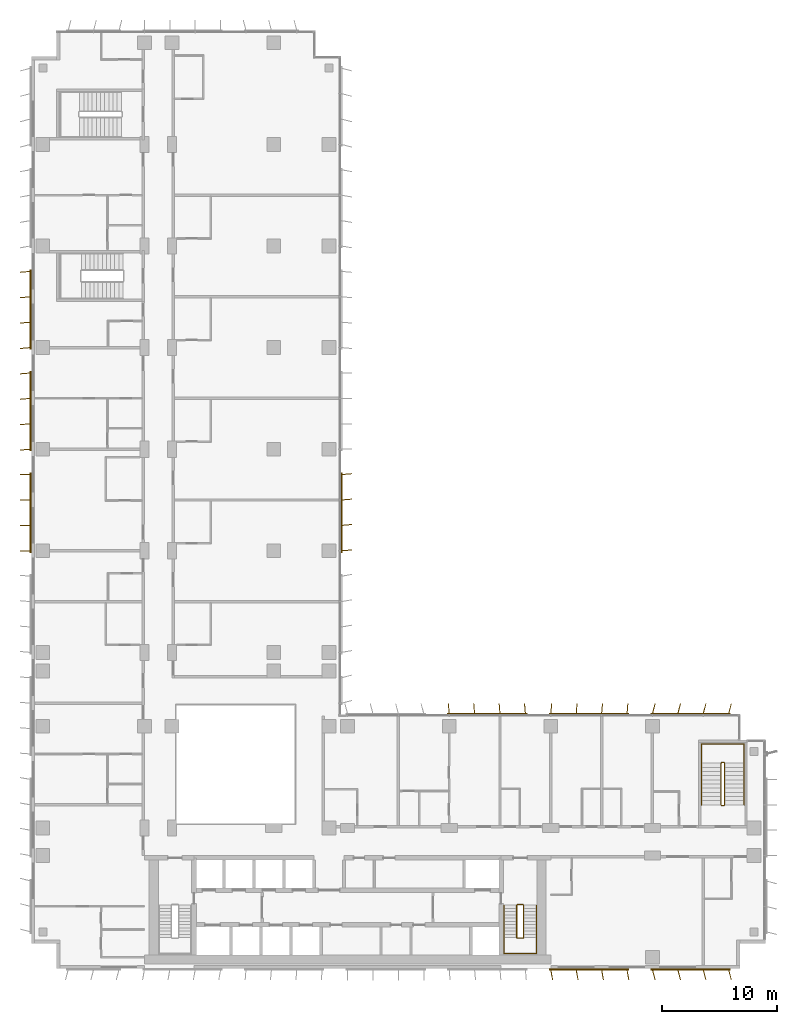
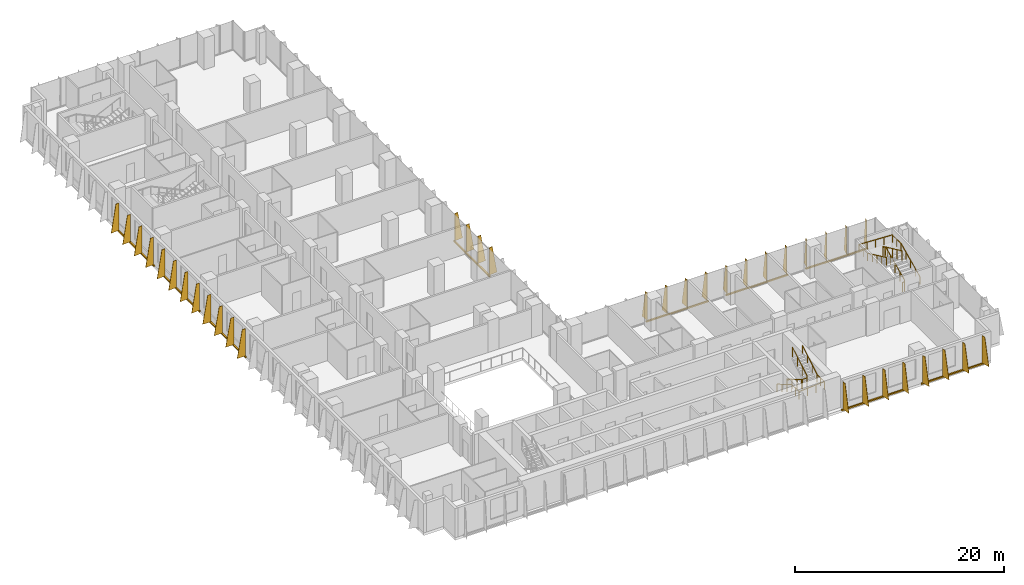
# One storey, part 20 of 22: 9 shading devices, 4 railings.
"""IFC4 building model written with IfcOpenShell, lengths in metres."""

from ifc_helpers import new_model, si_unit, direction, frame, origin, origin_2d, place, context, subcontext, project, spatial, polyline, rectangle, circle, outline, extrude, source, transform, mapped, material, layer, layer_set, type_object, element, save


model = new_model("IFC4")

# Units and contexts
model_context = context("Model", 3, precision=1e-05, world=origin(), true_north=direction((0.0, 1.0)))
body_context = subcontext(model_context, "Body", "Model", "MODEL_VIEW")
ifc_project = project(units=[si_unit("LENGTHUNIT", "METRE"), si_unit("AREAUNIT", "SQUARE_METRE"), si_unit("VOLUMEUNIT", "CUBIC_METRE"), si_unit("PLANEANGLEUNIT", "RADIAN"), si_unit("MASSUNIT", "GRAM", prefix="KILO")], contexts=[model_context])

# Site, building, storey
site_placement = place(None, origin())
site = spatial("IfcSite", under=ifc_project, at=site_placement, CompositionType="ELEMENT")
building_placement = place(site_placement, origin())
building = spatial("IfcBuilding", under=site, at=building_placement, Name="Kemantara Hotel Tower", CompositionType="ELEMENT")
storey_placement = place(building_placement, frame((0.0, 0.0, 145.699951171875)))
storey = spatial("IfcBuildingStorey", under=building, at=storey_placement, Name="L35", CompositionType="ELEMENT", Elevation=145.699951171875)

# Railings
ifc_material_1 = material(Name="Stainless steel balustrade", Category="steel")
railing_type_1 = type_object("IfcRailingType", Name="Stair guard 1100 mm", PredefinedType="GUARDRAIL", material=ifc_material_1)
railing_1_placement = place(storey_placement, frame((42.64990234375, 5.5, 3.699951171875)))
element("IfcRailing", 1, at=railing_1_placement, inside=storey, type_object=railing_type_1, Name="L35 ST2 stair guard 1", PredefinedType="GUARDRAIL", context=body_context, shape_type="SweptSolid", body=[
    extrude(circle(Radius=0.02392578125, at=origin_2d()), frame((0.0, 0.0, 1.076171875), z_axis=(0.0, -0.857275202839, -0.514858452973), x_axis=(1.0, 0.0, 0.0)), (0.0, 0.0, 1.0), 3.26611328125),
    extrude(circle(Radius=0.02392578125, at=origin_2d()), frame((0.0, -2.800048828125, -0.60546875), z_axis=(-0.273006030465, -0.27434429532, -0.922064485248), x_axis=(0.708833529934, -0.705375805398, 0.0)), (0.0, 0.0, 1.0), 0.182373046875),
    extrude(circle(Radius=0.02392578125, at=origin_2d()), frame((-0.0498046875, -2.85009765625, -0.77392578125), z_axis=(-1.0, 0.0, 0.0), x_axis=(0.0, -1.0, 0.0)), (0.0, 0.0, 1.0), 0.5),
    extrude(circle(Radius=0.02392578125, at=origin_2d()), frame((-0.5498046875, -2.85009765625, -0.77392578125), z_axis=(-0.707106781187, 0.707106781187, 0.0), x_axis=(-0.707106781187, -0.707106781187, 0.0)), (0.0, 0.0, 1.0), 0.07080078125),
    extrude(circle(Radius=0.02392578125, at=origin_2d()), frame((-0.599853515625, -2.800048828125, -0.77392578125), z_axis=(0.0, 0.857242210791, -0.514913383045), x_axis=(-1.0, 0.0, 0.0)), (0.0, 0.0, 1.0), 3.266357421875),
    extrude(circle(Radius=0.02392578125, at=origin_2d()), frame((-0.599853515625, 0.0, -2.45556640625), z_axis=(0.274243871929, 0.274243871929, -0.92172696468), x_axis=(-0.707106781187, 0.707106781187, 0.0)), (0.0, 0.0, 1.0), 0.1826171875),
    extrude(circle(Radius=0.02392578125, at=origin_2d()), frame((-0.5498046875, 0.050048828125, -2.6240234375), z_axis=(1.0, 0.0, 0.0), x_axis=(0.0, 1.0, 0.0)), (0.0, 0.0, 1.0), 0.5),
    extrude(circle(Radius=0.02099609375, at=origin_2d()), origin(), (0.0, 0.0, 1.0), 1.052001953125),
    extrude(circle(Radius=0.02099609375, at=origin_2d()), frame((0.0, -0.933349609375, -0.560546875)), (0.0, 0.0, 1.0), 1.052001953125),
    extrude(circle(Radius=0.02099609375, at=origin_2d()), frame((0.0, -1.86669921875, -1.12109375)), (0.0, 0.0, 1.0), 1.052001953125),
    extrude(circle(Radius=0.02099609375, at=origin_2d()), frame((0.0, -2.800048828125, -1.681640625)), (0.0, 0.0, 1.0), 1.052001953125),
    extrude(circle(Radius=0.02099609375, at=origin_2d()), frame((-0.0498046875, -2.85009765625, -1.849853515625)), (0.0, 0.0, 1.0), 1.052001953125),
    extrude(circle(Radius=0.02099609375, at=origin_2d()), frame((-0.5498046875, -2.85009765625, -1.849853515625)), (0.0, 0.0, 1.0), 1.052001953125),
    extrude(circle(Radius=0.02099609375, at=origin_2d()), frame((-0.599853515625, -2.800048828125, -1.849853515625)), (0.0, 0.0, 1.0), 1.052001953125),
    extrude(circle(Radius=0.02099609375, at=origin_2d()), frame((-0.599853515625, -1.86669921875, -2.410400390625)), (0.0, 0.0, 1.0), 1.052001953125),
    extrude(circle(Radius=0.02099609375, at=origin_2d()), frame((-0.599853515625, -0.933349609375, -2.97119140625)), (0.0, 0.0, 1.0), 1.052001953125),
    extrude(circle(Radius=0.02099609375, at=origin_2d()), frame((-0.599853515625, 0.0, -3.53173828125)), (0.0, 0.0, 1.0), 1.052001953125),
    extrude(circle(Radius=0.02099609375, at=origin_2d()), frame((-0.5498046875, 0.050048828125, -3.699951171875)), (0.0, 0.0, 1.0), 1.052001953125),
    extrude(circle(Radius=0.02099609375, at=origin_2d()), frame((-0.0498046875, 0.050048828125, -3.699951171875)), (0.0, 0.0, 1.0), 1.052001953125),
])
railing_2_placement = place(storey_placement, frame((59.75, 14.199951171875, 3.699951171875)))
element("IfcRailing", 2, at=railing_2_placement, inside=storey, type_object=railing_type_1, Name="L35 ST3 stair guard 1", PredefinedType="GUARDRAIL", context=body_context, shape_type="SweptSolid", body=[
    extrude(circle(Radius=0.02392578125, at=origin_2d()), frame((0.0, 0.0, 1.076171875), z_axis=(0.0, 0.906029249863, -0.423215073447), x_axis=(-1.0, 0.0, 0.0)), (0.0, 0.0, 1.0), 3.973388671875),
    extrude(circle(Radius=0.02392578125, at=origin_2d()), frame((0.0, 3.60009765625, -0.60546875), z_axis=(0.274243871929, 0.274243871929, -0.92172696468), x_axis=(-0.707106781187, 0.707106781187, 0.0)), (0.0, 0.0, 1.0), 0.1826171875),
    extrude(circle(Radius=0.02392578125, at=origin_2d()), frame((0.050048828125, 3.650146484375, -0.77392578125), z_axis=(1.0, 0.0, 0.0), x_axis=(0.0, 1.0, 0.0)), (0.0, 0.0, 1.0), 0.199951171875),
    extrude(circle(Radius=0.02392578125, at=origin_2d()), frame((0.25, 3.650146484375, -0.77392578125), z_axis=(0.707106781187, -0.707106781187, 0.0), x_axis=(0.707106781187, 0.707106781187, 0.0)), (0.0, 0.0, 1.0), 0.07080078125),
    extrude(circle(Radius=0.02392578125, at=origin_2d()), frame((0.300048828125, 3.60009765625, -0.77392578125), z_axis=(0.0, -0.906005689286, -0.423265508849), x_axis=(1.0, 0.0, 0.0)), (0.0, 0.0, 1.0), 3.9736328125),
    extrude(circle(Radius=0.02392578125, at=origin_2d()), frame((0.300048828125, 0.0, -2.45556640625), z_axis=(-0.274243871929, -0.274243871929, -0.92172696468), x_axis=(0.707106781187, -0.707106781187, 0.0)), (0.0, 0.0, 1.0), 0.1826171875),
    extrude(circle(Radius=0.02392578125, at=origin_2d()), frame((0.25, -0.050048828125, -2.6240234375), z_axis=(-1.0, 0.0, 0.0), x_axis=(0.0, -1.0, 0.0)), (0.0, 0.0, 1.0), 0.199951171875),
    extrude(circle(Radius=0.02099609375, at=origin_2d()), origin(), (0.0, 0.0, 1.0), 1.052001953125),
    extrude(circle(Radius=0.02099609375, at=origin_2d()), frame((0.0, 0.89990234375, -0.42041015625)), (0.0, 0.0, 1.0), 1.052001953125),
    extrude(circle(Radius=0.02099609375, at=origin_2d()), frame((0.0, 1.800048828125, -0.8408203125)), (0.0, 0.0, 1.0), 1.052001953125),
    extrude(circle(Radius=0.02099609375, at=origin_2d()), frame((0.0, 2.7001953125, -1.26123046875)), (0.0, 0.0, 1.0), 1.052001953125),
    extrude(circle(Radius=0.02099609375, at=origin_2d()), frame((0.0, 3.60009765625, -1.681640625)), (0.0, 0.0, 1.0), 1.052001953125),
    extrude(circle(Radius=0.02099609375, at=origin_2d()), frame((0.050048828125, 3.650146484375, -1.849853515625)), (0.0, 0.0, 1.0), 1.052001953125),
    extrude(circle(Radius=0.02099609375, at=origin_2d()), frame((0.25, 3.650146484375, -1.849853515625)), (0.0, 0.0, 1.0), 1.052001953125),
    extrude(circle(Radius=0.02099609375, at=origin_2d()), frame((0.300048828125, 3.60009765625, -1.849853515625)), (0.0, 0.0, 1.0), 1.052001953125),
    extrude(circle(Radius=0.02099609375, at=origin_2d()), frame((0.300048828125, 2.7001953125, -2.270263671875)), (0.0, 0.0, 1.0), 1.052001953125),
    extrude(circle(Radius=0.02099609375, at=origin_2d()), frame((0.300048828125, 1.800048828125, -2.69091796875)), (0.0, 0.0, 1.0), 1.052001953125),
    extrude(circle(Radius=0.02099609375, at=origin_2d()), frame((0.300048828125, 0.89990234375, -3.111328125)), (0.0, 0.0, 1.0), 1.052001953125),
    extrude(circle(Radius=0.02099609375, at=origin_2d()), frame((0.300048828125, 0.0, -3.53173828125)), (0.0, 0.0, 1.0), 1.052001953125),
    extrude(circle(Radius=0.02099609375, at=origin_2d()), frame((0.25, -0.050048828125, -3.699951171875)), (0.0, 0.0, 1.0), 1.052001953125),
    extrude(circle(Radius=0.02099609375, at=origin_2d()), frame((0.050048828125, -0.050048828125, -3.699951171875)), (0.0, 0.0, 1.0), 1.052001953125),
])
railing_type_2 = type_object("IfcRailingType", Name="Stair handrail 900 mm", PredefinedType="HANDRAIL", material=ifc_material_1)
railing_3_placement = place(storey_placement, frame((40.949951171875, 5.5, 0.168212890625)))
element("IfcRailing", 3, at=railing_3_placement, inside=storey, type_object=railing_type_2, Name="L35 ST2 stair handrail 1", PredefinedType="HANDRAIL", context=body_context, shape_type="SweptSolid", body=[
    extrude(circle(Radius=0.02392578125, at=origin_2d()), frame((0.0, 0.0, 0.8759765625), z_axis=(0.0, -0.857242210791, 0.514913383045), x_axis=(1.0, 0.0, 0.0)), (0.0, 0.0, 1.0), 3.266357421875),
    extrude(circle(Radius=0.02392578125, at=origin_2d()), frame((0.0, -2.800048828125, 2.5576171875), z_axis=(0.0, -1.0, 0.0), x_axis=(1.0, 0.0, 0.0)), (0.0, 0.0, 1.0), 1.3798828125),
    extrude(circle(Radius=0.02392578125, at=origin_2d()), frame((0.0, -4.179931640625, 2.5576171875), z_axis=(0.998200367801, 0.0, 0.059966871865), x_axis=(0.0, 1.0, 0.0)), (0.0, 0.0, 1.0), 2.80517578125),
    extrude(circle(Radius=0.02392578125, at=origin_2d()), frame((2.800048828125, -4.179931640625, 2.72607421875), z_axis=(0.0, 1.0, 0.0), x_axis=(-1.0, 0.0, 0.0)), (0.0, 0.0, 1.0), 1.3798828125),
    extrude(circle(Radius=0.02392578125, at=origin_2d()), frame((2.800048828125, -2.800048828125, 2.72607421875), z_axis=(0.0, 0.857275202839, 0.514858452973), x_axis=(-1.0, 0.0, 0.0)), (0.0, 0.0, 1.0), 3.26611328125),
    extrude(circle(Radius=0.02099609375, at=origin_2d()), origin(), (0.0, 0.0, 1.0), 0.851806640625),
    extrude(circle(Radius=0.02099609375, at=origin_2d()), frame((0.0, -0.933349609375, 0.560546875)), (0.0, 0.0, 1.0), 0.851806640625),
    extrude(circle(Radius=0.02099609375, at=origin_2d()), frame((0.0, -1.86669921875, 1.121337890625)), (0.0, 0.0, 1.0), 0.851806640625),
    extrude(circle(Radius=0.02099609375, at=origin_2d()), frame((0.0, -2.800048828125, 1.681884765625)), (0.0, 0.0, 1.0), 0.851806640625),
    extrude(circle(Radius=0.02099609375, at=origin_2d()), frame((0.0, -3.489990234375, 1.681884765625)), (0.0, 0.0, 1.0), 0.851806640625),
    extrude(circle(Radius=0.02099609375, at=origin_2d()), frame((0.0, -4.179931640625, 1.681884765625)), (0.0, 0.0, 1.0), 0.851806640625),
    extrude(circle(Radius=0.02099609375, at=origin_2d()), frame((0.933349609375, -4.179931640625, 1.738037109375)), (0.0, 0.0, 1.0), 0.851806640625),
    extrude(circle(Radius=0.02099609375, at=origin_2d()), frame((1.86669921875, -4.179931640625, 1.7939453125)), (0.0, 0.0, 1.0), 0.851806640625),
    extrude(circle(Radius=0.02099609375, at=origin_2d()), frame((2.800048828125, -4.179931640625, 1.85009765625)), (0.0, 0.0, 1.0), 0.851806640625),
    extrude(circle(Radius=0.02099609375, at=origin_2d()), frame((2.800048828125, -3.489990234375, 1.85009765625)), (0.0, 0.0, 1.0), 0.851806640625),
    extrude(circle(Radius=0.02099609375, at=origin_2d()), frame((2.800048828125, -2.800048828125, 1.85009765625)), (0.0, 0.0, 1.0), 0.851806640625),
    extrude(circle(Radius=0.02099609375, at=origin_2d()), frame((2.800048828125, -1.86669921875, 2.41064453125)), (0.0, 0.0, 1.0), 0.851806640625),
    extrude(circle(Radius=0.02099609375, at=origin_2d()), frame((2.800048828125, -0.933349609375, 2.97119140625)), (0.0, 0.0, 1.0), 0.851806640625),
    extrude(circle(Radius=0.02099609375, at=origin_2d()), frame((2.800048828125, 0.0, 3.53173828125)), (0.0, 0.0, 1.0), 0.851806640625),
])
railing_4_placement = place(storey_placement, frame((61.75, 14.199951171875, 0.168212890625)))
element("IfcRailing", 4, at=railing_4_placement, inside=storey, type_object=railing_type_2, Name="L35 ST3 stair handrail 1", PredefinedType="HANDRAIL", context=body_context, shape_type="SweptSolid", body=[
    extrude(circle(Radius=0.02392578125, at=origin_2d()), frame((0.0, 0.0, 0.8759765625), z_axis=(0.0, 0.906005689286, 0.423265508849), x_axis=(-1.0, 0.0, 0.0)), (0.0, 0.0, 1.0), 3.9736328125),
    extrude(circle(Radius=0.02392578125, at=origin_2d()), frame((0.0, 3.60009765625, 2.5576171875), z_axis=(0.0, 1.0, 0.0), x_axis=(-1.0, 0.0, 0.0)), (0.0, 0.0, 1.0), 1.679931640625),
    extrude(circle(Radius=0.02392578125, at=origin_2d()), frame((0.0, 5.280029296875, 2.5576171875), z_axis=(-0.998968132438, 0.0, 0.045416631029), x_axis=(0.0, -1.0, 0.0)), (0.0, 0.0, 1.0), 3.703857421875),
    extrude(circle(Radius=0.02392578125, at=origin_2d()), frame((-3.699951171875, 5.280029296875, 2.72607421875), z_axis=(0.0, -1.0, 0.0), x_axis=(1.0, 0.0, 0.0)), (0.0, 0.0, 1.0), 1.679931640625),
    extrude(circle(Radius=0.02392578125, at=origin_2d()), frame((-3.699951171875, 3.60009765625, 2.72607421875), z_axis=(0.0, -0.906029249863, 0.423215073447), x_axis=(1.0, 0.0, 0.0)), (0.0, 0.0, 1.0), 3.973388671875),
    extrude(circle(Radius=0.02099609375, at=origin_2d()), origin(), (0.0, 0.0, 1.0), 0.851806640625),
    extrude(circle(Radius=0.02099609375, at=origin_2d()), frame((0.0, 0.89990234375, 0.42041015625)), (0.0, 0.0, 1.0), 0.851806640625),
    extrude(circle(Radius=0.02099609375, at=origin_2d()), frame((0.0, 1.800048828125, 0.8408203125)), (0.0, 0.0, 1.0), 0.851806640625),
    extrude(circle(Radius=0.02099609375, at=origin_2d()), frame((0.0, 2.7001953125, 1.261474609375)), (0.0, 0.0, 1.0), 0.851806640625),
    extrude(circle(Radius=0.02099609375, at=origin_2d()), frame((0.0, 3.60009765625, 1.681884765625)), (0.0, 0.0, 1.0), 0.851806640625),
    extrude(circle(Radius=0.02099609375, at=origin_2d()), frame((0.0, 4.43994140625, 1.681884765625)), (0.0, 0.0, 1.0), 0.851806640625),
    extrude(circle(Radius=0.02099609375, at=origin_2d()), frame((0.0, 5.280029296875, 1.681884765625)), (0.0, 0.0, 1.0), 0.851806640625),
    extrude(circle(Radius=0.02099609375, at=origin_2d()), frame((-0.925048828125, 5.280029296875, 1.723876953125)), (0.0, 0.0, 1.0), 0.851806640625),
    extrude(circle(Radius=0.02099609375, at=origin_2d()), frame((-1.85009765625, 5.280029296875, 1.76611328125)), (0.0, 0.0, 1.0), 0.851806640625),
    extrude(circle(Radius=0.02099609375, at=origin_2d()), frame((-2.77490234375, 5.280029296875, 1.80810546875)), (0.0, 0.0, 1.0), 0.851806640625),
    extrude(circle(Radius=0.02099609375, at=origin_2d()), frame((-3.699951171875, 5.280029296875, 1.85009765625)), (0.0, 0.0, 1.0), 0.851806640625),
    extrude(circle(Radius=0.02099609375, at=origin_2d()), frame((-3.699951171875, 4.43994140625, 1.85009765625)), (0.0, 0.0, 1.0), 0.851806640625),
    extrude(circle(Radius=0.02099609375, at=origin_2d()), frame((-3.699951171875, 3.60009765625, 1.85009765625)), (0.0, 0.0, 1.0), 0.851806640625),
    extrude(circle(Radius=0.02099609375, at=origin_2d()), frame((-3.699951171875, 2.7001953125, 2.2705078125)), (0.0, 0.0, 1.0), 0.851806640625),
    extrude(circle(Radius=0.02099609375, at=origin_2d()), frame((-3.699951171875, 1.800048828125, 2.69091796875)), (0.0, 0.0, 1.0), 0.851806640625),
    extrude(circle(Radius=0.02099609375, at=origin_2d()), frame((-3.699951171875, 0.89990234375, 3.111328125)), (0.0, 0.0, 1.0), 0.851806640625),
    extrude(circle(Radius=0.02099609375, at=origin_2d()), frame((-3.699951171875, 0.0, 3.53173828125)), (0.0, 0.0, 1.0), 0.851806640625),
])

# Shading devices
ifc_material_2 = material(Name="Perforated aluminium plate 4 mm bronze anodised", Category="aluminium")
ifc_layer_1 = layer(ifc_material_2, 0.0400390625)
ifc_layer_set_1 = layer_set([ifc_layer_1], Name="Perforated aluminium plate 4 mm bronze anodised")
shading_device_type_1 = type_object("IfcShadingDeviceType", Name="SCREEN FIN CASSETTE, 4 BLADES AT -5.0 DEG, 3200 HIGH", PredefinedType="USERDEFINED", material=ifc_layer_set_1)
shared_shape_1 = source(origin(), body_context, "Body", "SweptSolid", [
    extrude(rectangle(XDim=6.89990234375, YDim=0.14990234375, at=origin_2d()), frame((3.300048828125, -0.074951171875, -0.14990234375), z_axis=(0.0, 0.0, 1.0), x_axis=(1.0, 0.0, 0.0)), (0.0, 0.0, 1.0), 0.14990234375),
    extrude(outline(polyline([(0.0, 0.0), (0.89990234375, 0.0), (0.35009765625, 3.199951171875), (0.0, 3.199951171875), (0.0, 0.0)])), frame((0.02001953125, -0.07666015625, 0.0), z_axis=(-0.996376129781, 0.085056498884, 0.0), x_axis=(-0.085056498884, -0.996376129781, 0.0)), (0.0, 0.0, 1.0), 0.040283203125),
    extrude(outline(polyline([(0.0, 0.0), (0.89990234375, 0.0), (0.35009765625, 3.199951171875), (0.0, 3.199951171875), (0.0, 0.0)])), frame((2.219970703125, -0.07666015625, 0.0), z_axis=(-0.996331773833, 0.085574508182, 0.0), x_axis=(-0.085574508182, -0.996331773833, 0.0)), (0.0, 0.0, 1.0), 0.0400390625),
    extrude(outline(polyline([(0.0, 0.0), (0.89990234375, 0.0), (0.35009765625, 3.199951171875), (0.0, 3.199951171875), (0.0, 0.0)])), frame((4.419921875, -0.07666015625, 0.0), z_axis=(-0.996331773833, 0.085574508182, 0.0), x_axis=(-0.085574508182, -0.996331773833, 0.0)), (0.0, 0.0, 1.0), 0.0400390625),
    extrude(outline(polyline([(0.0, 0.0), (0.89990234375, 0.0), (0.35009765625, 3.199951171875), (0.0, 3.199951171875), (0.0, 0.0)])), frame((6.619873046875, -0.07666015625, 0.0), z_axis=(-0.996331773833, 0.085574508182, 0.0), x_axis=(-0.085574508182, -0.996331773833, 0.0)), (0.0, 0.0, 1.0), 0.0400390625),
])
shading_device_1_placement = place(storey_placement, frame((51.60009765625, 22.0, 0.10009765625), z_axis=(0.0, 0.0, 1.0), x_axis=(-1.0, 0.0, 0.0)))
element("IfcShadingDevice", 5, at=shading_device_1_placement, inside=storey, type_object=shading_device_type_1, Name="SCREEN FIN CASSETTE L35 T2-R13-2", ObjectType="SCREEN FIN", PredefinedType="USERDEFINED", context=body_context, shape_type="MappedRepresentation", body=[
    mapped(shared_shape_1, transform((0.0, 0.0, 0.0))),
])
ifc_layer_2 = layer(ifc_material_2, 0.0400390625)
ifc_layer_set_2 = layer_set([ifc_layer_2], Name="Perforated aluminium plate 4 mm bronze anodised")
shading_device_type_2 = type_object("IfcShadingDeviceType", Name="SCREEN FIN CASSETTE, 4 BLADES AT +0.0 DEG, 3200 HIGH", PredefinedType="USERDEFINED", material=ifc_layer_set_2)
shared_shape_2 = source(origin(), body_context, "Body", "SweptSolid", [
    extrude(rectangle(XDim=6.89990234375, YDim=0.14990234375, at=origin_2d()), frame((3.300048828125, -0.074951171875, -0.14990234375), z_axis=(0.0, 0.0, 1.0), x_axis=(1.0, 0.0, 0.0)), (0.0, 0.0, 1.0), 0.14990234375),
    extrude(outline(polyline([(0.0, 0.0), (0.89990234375, 0.0), (0.35009765625, 3.199951171875), (0.0, 3.199951171875), (0.0, 0.0)])), frame((0.02001953125, -0.074951171875, 0.0), z_axis=(-1.0, 0.0, 0.0), x_axis=(0.0, -1.0, 0.0)), (0.0, 0.0, 1.0), 0.0400390625),
    extrude(outline(polyline([(0.0, 0.0), (0.89990234375, 0.0), (0.35009765625, 3.199951171875), (0.0, 3.199951171875), (0.0, 0.0)])), frame((2.219970703125, -0.074951171875, 0.0), z_axis=(-1.0, 0.0, 0.0), x_axis=(0.0, -1.0, 0.0)), (0.0, 0.0, 1.0), 0.0400390625),
    extrude(outline(polyline([(0.0, 0.0), (0.89990234375, 0.0), (0.35009765625, 3.199951171875), (0.0, 3.199951171875), (0.0, 0.0)])), frame((4.419921875, -0.074951171875, 0.0), z_axis=(-1.0, 0.0, 0.0), x_axis=(0.0, -1.0, 0.0)), (0.0, 0.0, 1.0), 0.0400390625),
    extrude(outline(polyline([(0.0, 0.0), (0.89990234375, 0.0), (0.35009765625, 3.199951171875), (0.0, 3.199951171875), (0.0, 0.0)])), frame((6.6201171875, -0.074951171875, 0.0), z_axis=(-1.0, 0.0, 0.0), x_axis=(0.0, -1.0, 0.0)), (0.0, 0.0, 1.0), 0.0400390625),
])
shading_device_2_placement = place(storey_placement, frame((0.0, 42.800048828125, 0.10009765625), z_axis=(0.0, 0.0, 1.0), x_axis=(0.0, -1.0, 0.0)))
element("IfcShadingDevice", 6, at=shading_device_2_placement, inside=storey, type_object=shading_device_type_2, Name="SCREEN FIN CASSETTE L35 T2-R04-5", ObjectType="SCREEN FIN", PredefinedType="USERDEFINED", context=body_context, shape_type="MappedRepresentation", body=[
    mapped(shared_shape_2, transform((0.0, 0.0, 0.0))),
])
ifc_layer_3 = layer(ifc_material_2, 0.0400390625)
ifc_layer_set_3 = layer_set([ifc_layer_3], Name="Perforated aluminium plate 4 mm bronze anodised")
shading_device_type_3 = type_object("IfcShadingDeviceType", Name="SCREEN FIN CASSETTE, 4 BLADES AT +5.0 DEG, 3200 HIGH", PredefinedType="USERDEFINED", material=ifc_layer_set_3)
shared_shape_3 = source(origin(), body_context, "Body", "SweptSolid", [
    extrude(rectangle(XDim=6.89990234375, YDim=0.14990234375, at=origin_2d()), frame((3.300048828125, -0.074951171875, -0.14990234375), z_axis=(0.0, 0.0, 1.0), x_axis=(1.0, 0.0, 0.0)), (0.0, 0.0, 1.0), 0.14990234375),
    extrude(outline(polyline([(0.0, 0.0), (0.89990234375, 0.0), (0.35009765625, 3.199951171875), (0.0, 3.199951171875), (0.0, 0.0)])), frame((0.02001953125, -0.0732421875, 0.0), z_axis=(-0.996376129781, -0.085056498884, 0.0), x_axis=(0.085056498884, -0.996376129781, 0.0)), (0.0, 0.0, 1.0), 0.040283203125),
    extrude(outline(polyline([(0.0, 0.0), (0.89990234375, 0.0), (0.35009765625, 3.199951171875), (0.0, 3.199951171875), (0.0, 0.0)])), frame((2.219970703125, -0.0732421875, 0.0), z_axis=(-0.996331773833, -0.085574508182, 0.0), x_axis=(0.085574508182, -0.996331773833, 0.0)), (0.0, 0.0, 1.0), 0.0400390625),
    extrude(outline(polyline([(0.0, 0.0), (0.89990234375, 0.0), (0.35009765625, 3.199951171875), (0.0, 3.199951171875), (0.0, 0.0)])), frame((4.419921875, -0.0732421875, 0.0), z_axis=(-0.996331773833, -0.085574508182, 0.0), x_axis=(0.085574508182, -0.996331773833, 0.0)), (0.0, 0.0, 1.0), 0.0400390625),
    extrude(outline(polyline([(0.0, 0.0), (0.89990234375, 0.0), (0.35009765625, 3.199951171875), (0.0, 3.199951171875), (0.0, 0.0)])), frame((6.619873046875, -0.0732421875, 0.0), z_axis=(-0.996331773833, -0.085574508182, 0.0), x_axis=(0.085574508182, -0.996331773833, 0.0)), (0.0, 0.0, 1.0), 0.0400390625),
])
for number, where, z_axis, x_axis, name in (
    (7, (0.0, 60.39990234375, 0.10009765625), (0.0, 0.0, 1.0), (0.0, -1.0, 0.0), "SCREEN FIN CASSETTE L35 T2-R04-3"),
    (8, (0.0, 51.60009765625, 0.10009765625), (0.0, 0.0, 1.0), (0.0, -1.0, 0.0), "SCREEN FIN CASSETTE L35 T2-R04-4"),
    (9, (42.800048828125, 22.0, 0.10009765625), (0.0, 0.0, 1.0), (-1.0, 0.0, 0.0), "SCREEN FIN CASSETTE L35 T2-R13-3"),
    (10, (26.800048828125, 36.199951171875, 0.10009765625), (0.0, 0.0, 1.0), (0.0, 1.0, 0.0), "SCREEN FIN CASSETTE L35 T2-R14-3"),
):
    element("IfcShadingDevice", number, at=place(storey_placement, frame(where, z_axis=z_axis, x_axis=x_axis)), inside=storey, type_object=shading_device_type_3, Name=name, ObjectType="SCREEN FIN", PredefinedType="USERDEFINED", context=body_context, shape_type="MappedRepresentation", body=[
        mapped(shared_shape_3, transform((0.0, 0.0, 0.0))),
    ])
ifc_layer_4 = layer(ifc_material_2, 0.0400390625)
ifc_layer_set_4 = layer_set([ifc_layer_4], Name="Perforated aluminium plate 4 mm bronze anodised")
shading_device_type_4 = type_object("IfcShadingDeviceType", Name="SCREEN FIN CASSETTE, 4 BLADES AT +10.0 DEG, 3200 HIGH", PredefinedType="USERDEFINED", material=ifc_layer_set_4)
shared_shape_4 = source(origin(), body_context, "Body", "SweptSolid", [
    extrude(rectangle(XDim=6.89990234375, YDim=0.14990234375, at=origin_2d()), frame((3.300048828125, -0.074951171875, -0.14990234375), z_axis=(0.0, 0.0, 1.0), x_axis=(1.0, 0.0, 0.0)), (0.0, 0.0, 1.0), 0.14990234375),
    extrude(outline(polyline([(0.0, 0.0), (0.89990234375, 0.0), (0.35009765625, 3.199951171875), (0.0, 3.199951171875), (0.0, 0.0)])), frame((0.019775390625, -0.071533203125, 0.0), z_axis=(-0.985389793052, -0.170314285219, 0.0), x_axis=(0.170314285219, -0.985389793052, 0.0)), (0.0, 0.0, 1.0), 0.0400390625),
    extrude(outline(polyline([(0.0, 0.0), (0.89990234375, 0.0), (0.35009765625, 3.199951171875), (0.0, 3.199951171875), (0.0, 0.0)])), frame((2.2197265625, -0.071533203125, 0.0), z_axis=(-0.98521175482, -0.171341174751, 0.0), x_axis=(0.171341174751, -0.98521175482, 0.0)), (0.0, 0.0, 1.0), 0.039794921875),
    extrude(outline(polyline([(0.0, 0.0), (0.89990234375, 0.0), (0.35009765625, 3.199951171875), (0.0, 3.199951171875), (0.0, 0.0)])), frame((4.419677734375, -0.071533203125, 0.0), z_axis=(-0.98521175482, -0.171341174751, 0.0), x_axis=(0.171341174751, -0.98521175482, 0.0)), (0.0, 0.0, 1.0), 0.039794921875),
    extrude(outline(polyline([(0.0, 0.0), (0.89990234375, 0.0), (0.35009765625, 3.199951171875), (0.0, 3.199951171875), (0.0, 0.0)])), frame((6.61962890625, -0.071533203125, 0.0), z_axis=(-0.98521175482, -0.171341174751, 0.0), x_axis=(0.171341174751, -0.98521175482, 0.0)), (0.0, 0.0, 1.0), 0.039794921875),
])
shading_device_3_placement = place(storey_placement, frame((45.0, 0.0, 0.10009765625), z_axis=(0.0, 0.0, 1.0), x_axis=(1.0, 0.0, 0.0)))
element("IfcShadingDevice", 11, at=shading_device_3_placement, inside=storey, type_object=shading_device_type_4, Name="SCREEN FIN CASSETTE L35 T2-R07-6", ObjectType="SCREEN FIN", PredefinedType="USERDEFINED", context=body_context, shape_type="MappedRepresentation", body=[
    mapped(shared_shape_4, transform((0.0, 0.0, 0.0))),
])
ifc_layer_5 = layer(ifc_material_2, 0.0400390625)
ifc_layer_set_5 = layer_set([ifc_layer_5], Name="Perforated aluminium plate 4 mm bronze anodised")
shading_device_type_5 = type_object("IfcShadingDeviceType", Name="SCREEN FIN CASSETTE, 4 BLADES AT +15.0 DEG, 3200 HIGH", PredefinedType="USERDEFINED", material=ifc_layer_set_5)
shared_shape_5 = source(origin(), body_context, "Body", "SweptSolid", [
    extrude(rectangle(XDim=6.89990234375, YDim=0.14990234375, at=origin_2d()), frame((3.300048828125, -0.074951171875, -0.14990234375), z_axis=(0.0, 0.0, 1.0), x_axis=(1.0, 0.0, 0.0)), (0.0, 0.0, 1.0), 0.14990234375),
    extrude(outline(polyline([(0.0, 0.0), (0.89990234375, 0.0), (0.35009765625, 3.199951171875), (0.0, 3.199951171875), (0.0, 0.0)])), frame((0.019287109375, -0.06982421875, 0.0), z_axis=(-0.966437683387, -0.256901156343, 0.0), x_axis=(0.256901156343, -0.966437683387, 0.0)), (0.0, 0.0, 1.0), 0.039794921875),
    extrude(outline(polyline([(0.0, 0.0), (0.89990234375, 0.0), (0.35009765625, 3.199951171875), (0.0, 3.199951171875), (0.0, 0.0)])), frame((2.21923828125, -0.06982421875, 0.0), z_axis=(-0.966437683387, -0.256901156343, 0.0), x_axis=(0.256901156343, -0.966437683387, 0.0)), (0.0, 0.0, 1.0), 0.039794921875),
    extrude(outline(polyline([(0.0, 0.0), (0.89990234375, 0.0), (0.35009765625, 3.199951171875), (0.0, 3.199951171875), (0.0, 0.0)])), frame((4.41943359375, -0.06982421875, 0.0), z_axis=(-0.966837822169, -0.255391122837, 0.0), x_axis=(0.255391122837, -0.966837822169, 0.0)), (0.0, 0.0, 1.0), 0.0400390625),
    extrude(outline(polyline([(0.0, 0.0), (0.89990234375, 0.0), (0.35009765625, 3.199951171875), (0.0, 3.199951171875), (0.0, 0.0)])), frame((6.619384765625, -0.06982421875, 0.0), z_axis=(-0.966837822169, -0.255391122837, 0.0), x_axis=(0.255391122837, -0.966837822169, 0.0)), (0.0, 0.0, 1.0), 0.0400390625),
])
shading_device_4_placement = place(storey_placement, frame((53.800048828125, 0.0, 0.10009765625), z_axis=(0.0, 0.0, 1.0), x_axis=(1.0, 0.0, 0.0)))
element("IfcShadingDevice", 12, at=shading_device_4_placement, inside=storey, type_object=shading_device_type_5, Name="SCREEN FIN CASSETTE L35 T2-R07-7", ObjectType="SCREEN FIN", PredefinedType="USERDEFINED", context=body_context, shape_type="MappedRepresentation", body=[
    mapped(shared_shape_5, transform((0.0, 0.0, 0.0))),
])
ifc_layer_6 = layer(ifc_material_2, 0.0400390625)
ifc_layer_set_6 = layer_set([ifc_layer_6], Name="Perforated aluminium plate 4 mm bronze anodised")
shading_device_type_6 = type_object("IfcShadingDeviceType", Name="SCREEN FIN CASSETTE, 4 BLADES AT -15.0 DEG, 3200 HIGH", PredefinedType="USERDEFINED", material=ifc_layer_set_6)
shared_shape_6 = source(origin(), body_context, "Body", "SweptSolid", [
    extrude(rectangle(XDim=6.89990234375, YDim=0.14990234375, at=origin_2d()), frame((3.300048828125, -0.074951171875, -0.14990234375), z_axis=(0.0, 0.0, 1.0), x_axis=(1.0, 0.0, 0.0)), (0.0, 0.0, 1.0), 0.14990234375),
    extrude(outline(polyline([(0.0, 0.0), (0.89990234375, 0.0), (0.35009765625, 3.199951171875), (0.0, 3.199951171875), (0.0, 0.0)])), frame((0.019287109375, -0.080078125, 0.0), z_axis=(-0.966437683387, 0.256901156343, 0.0), x_axis=(-0.256901156343, -0.966437683387, 0.0)), (0.0, 0.0, 1.0), 0.039794921875),
    extrude(outline(polyline([(0.0, 0.0), (0.89990234375, 0.0), (0.35009765625, 3.199951171875), (0.0, 3.199951171875), (0.0, 0.0)])), frame((2.21923828125, -0.080078125, 0.0), z_axis=(-0.966437683387, 0.256901156343, 0.0), x_axis=(-0.256901156343, -0.966437683387, 0.0)), (0.0, 0.0, 1.0), 0.039794921875),
    extrude(outline(polyline([(0.0, 0.0), (0.89990234375, 0.0), (0.35009765625, 3.199951171875), (0.0, 3.199951171875), (0.0, 0.0)])), frame((4.41943359375, -0.080078125, 0.0), z_axis=(-0.966837822169, 0.255391122837, 0.0), x_axis=(-0.255391122837, -0.966837822169, 0.0)), (0.0, 0.0, 1.0), 0.0400390625),
    extrude(outline(polyline([(0.0, 0.0), (0.89990234375, 0.0), (0.35009765625, 3.199951171875), (0.0, 3.199951171875), (0.0, 0.0)])), frame((6.619384765625, -0.080078125, 0.0), z_axis=(-0.966837822169, 0.255391122837, 0.0), x_axis=(-0.255391122837, -0.966837822169, 0.0)), (0.0, 0.0, 1.0), 0.0400390625),
])
shading_device_5_placement = place(storey_placement, frame((60.39990234375, 22.0, 0.10009765625), z_axis=(0.0, 0.0, 1.0), x_axis=(-1.0, 0.0, 0.0)))
element("IfcShadingDevice", 13, at=shading_device_5_placement, inside=storey, type_object=shading_device_type_6, Name="SCREEN FIN CASSETTE L35 T2-R13-1", ObjectType="SCREEN FIN", PredefinedType="USERDEFINED", context=body_context, shape_type="MappedRepresentation", body=[
    mapped(shared_shape_6, transform((0.0, 0.0, 0.0))),
])

save(model, "model.ifc")
